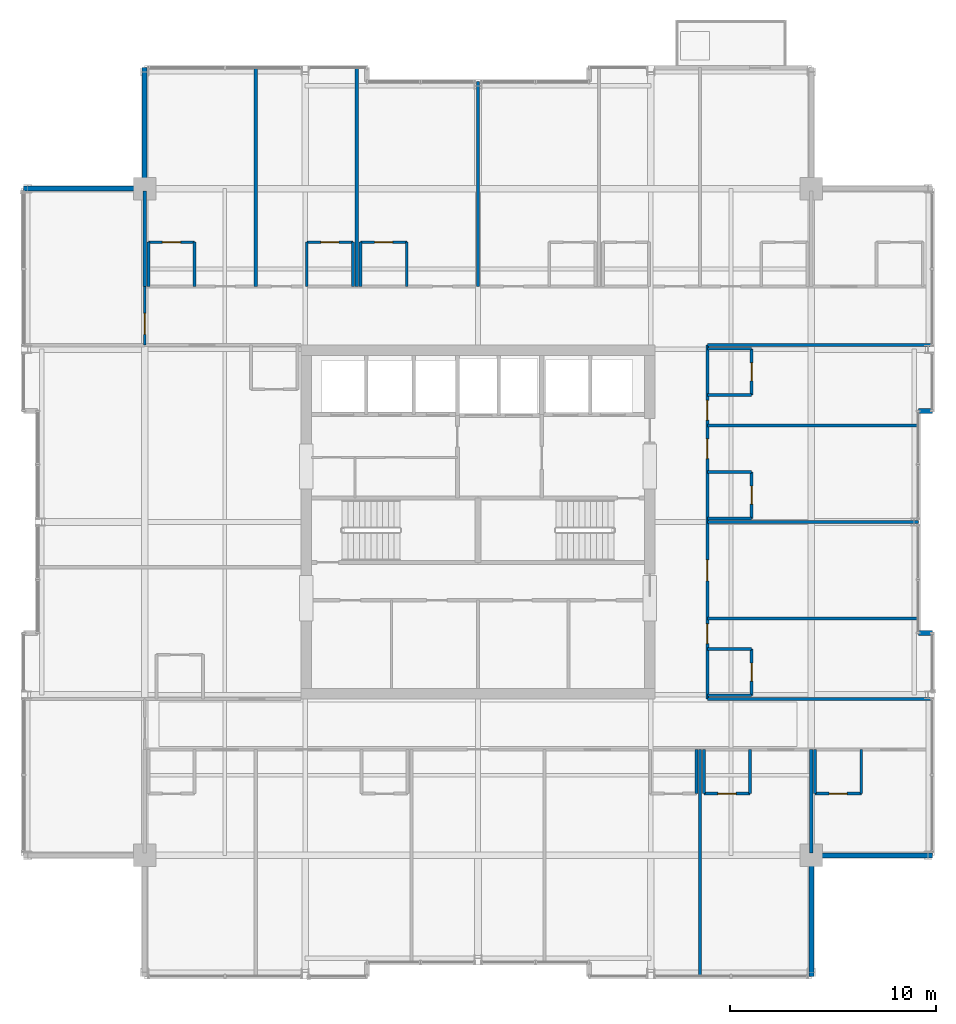
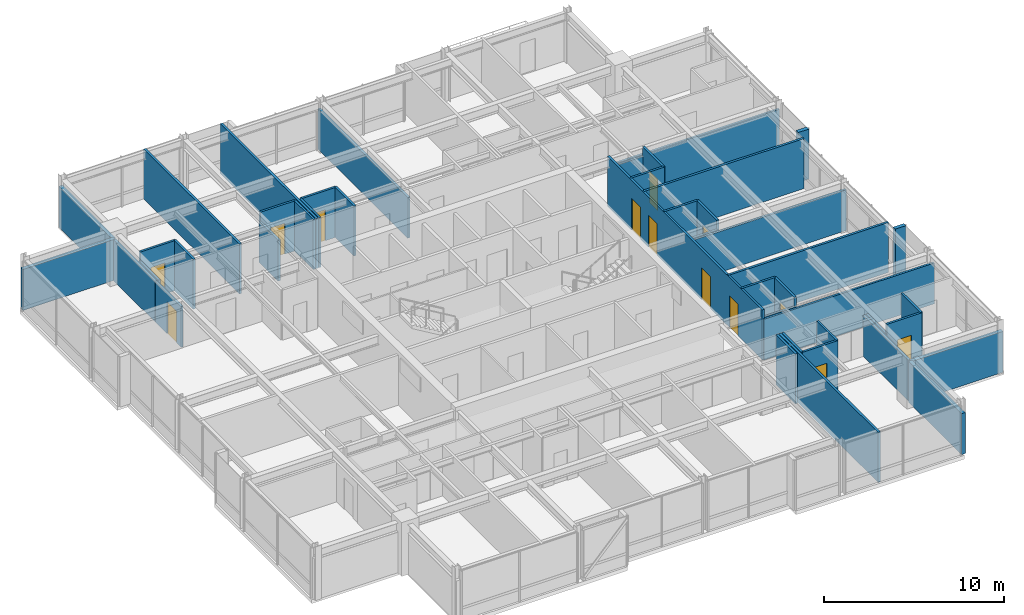
# One storey, part 29 of 33: 44 walls, 13 doors, 13 openings.
"""IFC4 building model written with IfcOpenShell, lengths in metres."""

from ifc_helpers import new_model, si_unit, direction, frame, frame_2d, origin, place, context, subcontext, project, spatial, rectangle, extrude, material, layer, layer_set, type_object, element, fill, save


model = new_model("IFC4")

# Units and contexts
model_context = context("Model", 3, precision=1e-05, world=origin(), true_north=direction((0.0, 1.0)))
body_context = subcontext(model_context, "Body", "Model", "MODEL_VIEW")
ifc_project = project(units=[si_unit("LENGTHUNIT", "METRE"), si_unit("AREAUNIT", "SQUARE_METRE"), si_unit("VOLUMEUNIT", "CUBIC_METRE"), si_unit("PLANEANGLEUNIT", "RADIAN"), si_unit("MASSUNIT", "GRAM", prefix="KILO")], contexts=[model_context])

# Site, building, storey
site_placement = place(None, origin())
site = spatial("IfcSite", under=ifc_project, at=site_placement, CompositionType="ELEMENT")
building_placement = place(site_placement, origin())
building = spatial("IfcBuilding", under=site, at=building_placement, Name="Drelvath Grand Hotel", CompositionType="ELEMENT")
storey_placement = place(building_placement, frame((0.0, 0.0, 268.64990234375)))
storey = spatial("IfcBuildingStorey", under=building, at=storey_placement, Name="L70", CompositionType="ELEMENT", Elevation=268.64990234375)

# Walls
ifc_material_1 = material(Name="Gypsum Fireboard Partition")
ifc_layer_1 = layer(ifc_material_1, 0.135009765625)
ifc_layer_set_1 = layer_set([ifc_layer_1], Name="Gypsum Fireboard Partition")
wall_type_1 = type_object("IfcWallType", Name="Corridor Fire Barrier Wall 135", PredefinedType="PARTITIONING", material=ifc_layer_set_1)
for number, where, z_axis, x_axis, name in (
    (1, (11.14990234375, 18.39990234375, 0.0), (0.0, 0.0, 1.0), (1.0, 0.0, 0.0), "L70 South Gallery Inner East Wall"),
    (2, (11.14990234375, 35.60009765625, 0.0), (0.0, 0.0, 1.0), (1.0, 0.0, 0.0), "L70 North Gallery Inner East Wall"),
):
    element("IfcWall", number, at=place(storey_placement, frame(where, z_axis=z_axis, x_axis=x_axis)), inside=storey, type_object=wall_type_1, Name=name, PredefinedType="PARTITIONING", context=body_context, shape_type="SweptSolid", body=[
        extrude(rectangle(XDim=10.93017578125, YDim=0.135009765625, at=frame_2d((5.465087890625, 0.0))), origin(), (0.0, 0.0, 1.0), 2.767578125),
    ])

# Wall, openings, doors
wall_1_placement = place(storey_placement, frame((11.14990234375, 18.39990234375, 0.0), z_axis=(0.0, 0.0, 1.0), x_axis=(0.0, 1.0, 0.0)))
wall_1 = element("IfcWall", 3, at=wall_1_placement, inside=storey, type_object=wall_type_1, Name="L70 East Gallery Link Wall", PredefinedType="PARTITIONING", context=body_context, shape_type="SweptSolid", body=[
    extrude(rectangle(XDim=17.2001953125, YDim=0.135009765625, at=frame_2d((8.60009765625, 0.0))), origin(), (0.0, 0.0, 1.0), 3.39013671875),
])
opening_1_placement = place(wall_1_placement, frame((2.689453125, 0.0, 0.0)))
opening_1 = element("IfcOpeningElement", 4, at=opening_1_placement, cuts=wall_1, Name="Opening D-T5G1-048", PredefinedType="OPENING", context=body_context, shape_type="SweptSolid", body=[
    extrude(rectangle(XDim=0.9599609375, YDim=2.14990234375, at=frame_2d((0.47998046875, 1.074951171875))), frame((0.0, 0.077392578125, 0.0), z_axis=(0.0, -1.0, 0.0), x_axis=(1.0, 0.0, 0.0)), (0.0, 0.0, 1.0), 0.155029296875),
])
opening_2_placement = place(wall_1_placement, frame((5.74462890625, 0.0, 0.0)))
opening_2 = element("IfcOpeningElement", 5, at=opening_2_placement, cuts=wall_1, Name="Opening D-T5G1-049", PredefinedType="OPENING", context=body_context, shape_type="SweptSolid", body=[
    extrude(rectangle(XDim=1.02001953125, YDim=2.14990234375, at=frame_2d((0.510009765625, 1.074951171875))), frame((0.0, 0.077392578125, 0.0), z_axis=(0.0, -1.0, 0.0), x_axis=(1.0, 0.0, 0.0)), (0.0, 0.0, 1.0), 0.155029296875),
])
opening_3_placement = place(wall_1_placement, frame((11.680419921875, 0.0, 0.0)))
opening_3 = element("IfcOpeningElement", 6, at=opening_3_placement, cuts=wall_1, Name="Opening D-T5G1-051", PredefinedType="OPENING", context=body_context, shape_type="SweptSolid", body=[
    extrude(rectangle(XDim=0.9599609375, YDim=2.14990234375, at=frame_2d((0.47998046875, 1.074951171875))), frame((0.0, 0.077392578125, 0.0), z_axis=(0.0, -1.0, 0.0), x_axis=(1.0, 0.0, 0.0)), (0.0, 0.0, 1.0), 0.155029296875),
])
opening_4_placement = place(wall_1_placement, frame((13.550537109375, 0.0, 0.0)))
opening_4 = element("IfcOpeningElement", 7, at=opening_4_placement, cuts=wall_1, Name="Opening D-T5G1-053", PredefinedType="OPENING", context=body_context, shape_type="SweptSolid", body=[
    extrude(rectangle(XDim=0.9599609375, YDim=2.14990234375, at=frame_2d((0.47998046875, 1.074951171875))), frame((0.0, 0.077392578125, 0.0), z_axis=(0.0, -1.0, 0.0), x_axis=(1.0, 0.0, 0.0)), (0.0, 0.0, 1.0), 0.155029296875),
])
ifc_material_2 = material(Name="Hardwood Walnut Timber", Category="wood")
door_type_1 = type_object("IfcDoorType", Name="Amenity Meeting Fire Door 1020x2150", OperationType="NOTDEFINED", PredefinedType="DOOR", material=ifc_material_2)
door_1_placement = place(opening_2_placement, origin())
door_1 = element("IfcDoor", 8, at=door_1_placement, inside=storey, type_object=door_type_1, Name="L70 Private Spa Treatment Room Entry Door", OperationType="SINGLE_SWING_RIGHT", OverallHeight=2.14990234375, OverallWidth=1.02001953125, PredefinedType="DOOR", context=body_context, shape_type="SweptSolid", body=[
    extrude(rectangle(XDim=1.02001953125, YDim=2.14990234375, at=frame_2d((0.510009765625, 1.074951171875))), frame((0.0, 0.02490234375, 0.0), z_axis=(0.0, -1.0, 0.0), x_axis=(1.0, 0.0, 0.0)), (0.0, 0.0, 1.0), 0.050048828125),
])
fill(opening_2, door_1)
door_type_2 = type_object("IfcDoorType", Name="Guestroom Entrance Fire Door 960x2150", OperationType="NOTDEFINED", PredefinedType="DOOR", material=ifc_material_2)
door_2_placement = place(opening_1_placement, origin())
door_2 = element("IfcDoor", 9, at=door_2_placement, inside=storey, type_object=door_type_2, Name="L70 King Guest Room Entry Door", OperationType="SINGLE_SWING_LEFT", OverallHeight=2.14990234375, OverallWidth=0.9599609375, PredefinedType="DOOR", context=body_context, shape_type="SweptSolid", body=[
    extrude(rectangle(XDim=0.9599609375, YDim=2.14990234375, at=frame_2d((0.47998046875, 1.074951171875))), frame((0.0, 0.02490234375, 0.0), z_axis=(0.0, -1.0, 0.0), x_axis=(1.0, 0.0, 0.0)), (0.0, 0.0, 1.0), 0.050048828125),
])
fill(opening_1, door_2)
door_3_placement = place(opening_3_placement, origin())
door_3 = element("IfcDoor", 10, at=door_3_placement, inside=storey, type_object=door_type_2, Name="L70 King Guest Room Entry Door", OperationType="SINGLE_SWING_RIGHT", OverallHeight=2.14990234375, OverallWidth=0.9599609375, PredefinedType="DOOR", context=body_context, shape_type="SweptSolid", body=[
    extrude(rectangle(XDim=0.9599609375, YDim=2.14990234375, at=frame_2d((0.47998046875, 1.074951171875))), frame((0.0, 0.02490234375, 0.0), z_axis=(0.0, -1.0, 0.0), x_axis=(1.0, 0.0, 0.0)), (0.0, 0.0, 1.0), 0.050048828125),
])
fill(opening_3, door_3)
door_4_placement = place(opening_4_placement, origin())
door_4 = element("IfcDoor", 11, at=door_4_placement, inside=storey, type_object=door_type_2, Name="L70 King Guest Room Entry Door", OperationType="SINGLE_SWING_RIGHT", OverallHeight=2.14990234375, OverallWidth=0.9599609375, PredefinedType="DOOR", context=body_context, shape_type="SweptSolid", body=[
    extrude(rectangle(XDim=0.9599609375, YDim=2.14990234375, at=frame_2d((0.47998046875, 1.074951171875))), frame((0.0, 0.02490234375, 0.0), z_axis=(0.0, -1.0, 0.0), x_axis=(1.0, 0.0, 0.0)), (0.0, 0.0, 1.0), 0.050048828125),
])
fill(opening_4, door_4)

# Wall, opening, door
wall_2_placement = place(storey_placement, frame((-16.199951171875, 35.60009765625, 0.0), z_axis=(0.0, 0.0, 1.0), x_axis=(0.0, 1.0, 0.0)))
wall_2 = element("IfcWall", 12, at=wall_2_placement, inside=storey, type_object=wall_type_1, Name="L70 North Gallery West End", PredefinedType="PARTITIONING", context=body_context, shape_type="SweptSolid", body=[
    extrude(rectangle(XDim=2.849853515625, YDim=0.135009765625, at=frame_2d((1.4248046875, 0.0))), origin(), (0.0, 0.0, 1.0), 2.76416015625),
])
opening_5_placement = place(wall_2_placement, frame((0.52001953125, 0.0, 0.0)))
opening_5 = element("IfcOpeningElement", 13, at=opening_5_placement, cuts=wall_2, Name="Opening D-T5G1-021", PredefinedType="OPENING", context=body_context, shape_type="SweptSolid", body=[
    extrude(rectangle(XDim=1.02001953125, YDim=2.14990234375, at=frame_2d((0.510009765625, 1.074951171875))), frame((0.0, 0.077392578125, 0.0), z_axis=(0.0, -1.0, 0.0), x_axis=(1.0, 0.0, 0.0)), (0.0, 0.0, 1.0), 0.155029296875),
])
door_5_placement = place(opening_5_placement, origin())
door_5 = element("IfcDoor", 14, at=door_5_placement, inside=storey, type_object=door_type_1, Name="L70 Corner Panorama Lounge Door", OperationType="SINGLE_SWING_RIGHT", OverallHeight=2.14990234375, OverallWidth=1.02001953125, PredefinedType="DOOR", context=body_context, shape_type="SweptSolid", body=[
    extrude(rectangle(XDim=1.02001953125, YDim=2.14990234375, at=frame_2d((0.510009765625, 1.074951171875))), frame((0.0, 0.02490234375, 0.0), z_axis=(0.0, -1.0, 0.0), x_axis=(1.0, 0.0, 0.0)), (0.0, 0.0, 1.0), 0.050048828125),
])
fill(opening_5, door_5)

# Walls
ifc_material_3 = material(Name="Moisture-Resistant Gypsum Board")
ifc_layer_2 = layer(ifc_material_3, 0.139892578125)
ifc_layer_set_2 = layer_set([ifc_layer_2], Name="Moisture-Resistant Gypsum Board")
wall_type_2 = type_object("IfcWallType", Name="En-Suite Plumbing Wall 140", PredefinedType="PLUMBINGWALL", material=ifc_layer_set_2)
wall_3_placement = place(storey_placement, frame((16.3798828125, 15.949951171875, 0.0), z_axis=(0.0, 0.0, 1.0), x_axis=(0.0, -1.0, 0.0)))
element("IfcWall", 15, at=wall_3_placement, inside=storey, type_object=wall_type_2, Name="L70 En-Suite Left Wall", PredefinedType="PLUMBINGWALL", context=body_context, shape_type="SweptSolid", body=[
    extrude(rectangle(XDim=2.14990234375, YDim=0.139892578125, at=frame_2d((1.074951171875, 0.0))), origin(), (0.0, 0.0, 1.0), 2.76416015625),
])
wall_4_placement = place(storey_placement, frame((18.6298828125, 15.949951171875, 0.0), z_axis=(0.0, 0.0, 1.0), x_axis=(0.0, -1.0, 0.0)))
element("IfcWall", 16, at=wall_4_placement, inside=storey, type_object=wall_type_2, Name="L70 En-Suite Right Wall", PredefinedType="PLUMBINGWALL", context=body_context, shape_type="SweptSolid", body=[
    extrude(rectangle(XDim=2.14990234375, YDim=0.139892578125, at=frame_2d((1.074951171875, 0.0))), origin(), (0.0, 0.0, 1.0), 3.39013671875),
])

# Wall, opening, door
wall_5_placement = place(storey_placement, frame((16.3798828125, 13.800048828125, 0.0), z_axis=(0.0, 0.0, 1.0), x_axis=(1.0, 0.0, 0.0)))
wall_5 = element("IfcWall", 17, at=wall_5_placement, inside=storey, type_object=wall_type_2, Name="L70 En-Suite Front Wall", PredefinedType="PLUMBINGWALL", context=body_context, shape_type="SweptSolid", body=[
    extrude(rectangle(XDim=2.25, YDim=0.139892578125, at=frame_2d((1.125, 0.0))), origin(), (0.0, 0.0, 1.0), 3.39013671875),
])
opening_6_placement = place(wall_5_placement, frame((0.68505859375, 0.0, 0.0)))
opening_6 = element("IfcOpeningElement", 18, at=opening_6_placement, cuts=wall_5, Name="Opening D-T5G1-022", PredefinedType="OPENING", context=body_context, shape_type="SweptSolid", body=[
    extrude(rectangle(XDim=0.8798828125, YDim=2.10009765625, at=frame_2d((0.43994140625, 1.050048828125))), frame((0.0, 0.079833984375, 0.0), z_axis=(0.0, -1.0, 0.0), x_axis=(1.0, 0.0, 0.0)), (0.0, 0.0, 1.0), 0.159912109375),
])
door_type_3 = type_object("IfcDoorType", Name="En-Suite Bathroom Door 880x2100", OperationType="NOTDEFINED", PredefinedType="DOOR", material=ifc_material_2)
door_6_placement = place(opening_6_placement, origin())
door_6 = element("IfcDoor", 19, at=door_6_placement, inside=storey, type_object=door_type_3, Name="L70 En-Suite Bathroom Door", OperationType="SINGLE_SWING_LEFT", OverallHeight=2.10009765625, OverallWidth=0.8798828125, PredefinedType="DOOR", context=body_context, shape_type="SweptSolid", body=[
    extrude(rectangle(XDim=0.8798828125, YDim=2.10009765625, at=frame_2d((0.43994140625, 1.050048828125))), frame((0.0, 0.02490234375, 0.0), z_axis=(0.0, -1.0, 0.0), x_axis=(1.0, 0.0, 0.0)), (0.0, 0.0, 1.0), 0.050048828125),
])
fill(opening_6, door_6)

# Walls
for number, where, z_axis, x_axis, name in (
    (20, (10.6201171875, 15.949951171875, 0.0), (0.0, 0.0, 1.0), (0.0, -1.0, 0.0), "L70 En-Suite Right Wall"),
    (21, (10.97998046875, 15.949951171875, 0.0), (0.0, 0.0, 1.0), (0.0, -1.0, 0.0), "L70 En-Suite Left Wall"),
    (22, (13.22998046875, 15.949951171875, 0.0), (0.0, 0.0, 1.0), (0.0, -1.0, 0.0), "L70 En-Suite Right Wall"),
):
    element("IfcWall", number, at=place(storey_placement, frame(where, z_axis=z_axis, x_axis=x_axis)), inside=storey, type_object=wall_type_2, Name=name, PredefinedType="PLUMBINGWALL", context=body_context, shape_type="SweptSolid", body=[
        extrude(rectangle(XDim=2.14990234375, YDim=0.139892578125, at=frame_2d((1.074951171875, 0.0))), origin(), (0.0, 0.0, 1.0), 3.39013671875),
    ])

# Wall, opening, door
wall_6_placement = place(storey_placement, frame((10.97998046875, 13.800048828125, 0.0), z_axis=(0.0, 0.0, 1.0), x_axis=(1.0, 0.0, 0.0)))
wall_6 = element("IfcWall", 23, at=wall_6_placement, inside=storey, type_object=wall_type_2, Name="L70 En-Suite Front Wall", PredefinedType="PLUMBINGWALL", context=body_context, shape_type="SweptSolid", body=[
    extrude(rectangle(XDim=2.25, YDim=0.139892578125, at=frame_2d((1.125, 0.0))), origin(), (0.0, 0.0, 1.0), 3.39013671875),
])
opening_7_placement = place(wall_6_placement, frame((0.68505859375, 0.0, 0.0)))
opening_7 = element("IfcOpeningElement", 24, at=opening_7_placement, cuts=wall_6, Name="Opening D-T5G1-033", PredefinedType="OPENING", context=body_context, shape_type="SweptSolid", body=[
    extrude(rectangle(XDim=0.8798828125, YDim=2.10009765625, at=frame_2d((0.43994140625, 1.050048828125))), frame((0.0, 0.079833984375, 0.0), z_axis=(0.0, -1.0, 0.0), x_axis=(1.0, 0.0, 0.0)), (0.0, 0.0, 1.0), 0.159912109375),
])
door_7_placement = place(opening_7_placement, origin())
door_7 = element("IfcDoor", 25, at=door_7_placement, inside=storey, type_object=door_type_3, Name="L70 En-Suite Bathroom Door", OperationType="SINGLE_SWING_RIGHT", OverallHeight=2.10009765625, OverallWidth=0.8798828125, PredefinedType="DOOR", context=body_context, shape_type="SweptSolid", body=[
    extrude(rectangle(XDim=0.8798828125, YDim=2.10009765625, at=frame_2d((0.43994140625, 1.050048828125))), frame((0.0, 0.02490234375, 0.0), z_axis=(0.0, -1.0, 0.0), x_axis=(1.0, 0.0, 0.0)), (0.0, 0.0, 1.0), 0.050048828125),
])
fill(opening_7, door_7)

# Walls
wall_7_placement = place(storey_placement, frame((-16.02001953125, 38.449951171875, 0.0), z_axis=(0.0, 0.0, 1.0), x_axis=(0.0, 1.0, 0.0)))
element("IfcWall", 26, at=wall_7_placement, inside=storey, type_object=wall_type_2, Name="L70 En-Suite Left Wall", PredefinedType="PLUMBINGWALL", context=body_context, shape_type="SweptSolid", body=[
    extrude(rectangle(XDim=2.150146484375, YDim=0.139892578125, at=frame_2d((1.0751953125, 0.0))), origin(), (0.0, 0.0, 1.0), 2.76416015625),
])
wall_8_placement = place(storey_placement, frame((-13.77001953125, 38.449951171875, 0.0), z_axis=(0.0, 0.0, 1.0), x_axis=(0.0, 1.0, 0.0)))
element("IfcWall", 27, at=wall_8_placement, inside=storey, type_object=wall_type_2, Name="L70 En-Suite Right Wall", PredefinedType="PLUMBINGWALL", context=body_context, shape_type="SweptSolid", body=[
    extrude(rectangle(XDim=2.150146484375, YDim=0.139892578125, at=frame_2d((1.0751953125, 0.0))), origin(), (0.0, 0.0, 1.0), 3.39013671875),
])

# Wall, opening, door
wall_9_placement = place(storey_placement, frame((-16.02001953125, 40.60009765625, 0.0), z_axis=(0.0, 0.0, 1.0), x_axis=(1.0, 0.0, 0.0)))
wall_9 = element("IfcWall", 28, at=wall_9_placement, inside=storey, type_object=wall_type_2, Name="L70 En-Suite Front Wall", PredefinedType="PLUMBINGWALL", context=body_context, shape_type="SweptSolid", body=[
    extrude(rectangle(XDim=2.25, YDim=0.139892578125, at=frame_2d((1.125, 0.0))), origin(), (0.0, 0.0, 1.0), 3.39013671875),
])
opening_8_placement = place(wall_9_placement, frame((0.68505859375, 0.0, 0.0)))
opening_8 = element("IfcOpeningElement", 29, at=opening_8_placement, cuts=wall_9, Name="Opening D-T5G1-035", PredefinedType="OPENING", context=body_context, shape_type="SweptSolid", body=[
    extrude(rectangle(XDim=0.8798828125, YDim=2.10009765625, at=frame_2d((0.43994140625, 1.050048828125))), frame((0.0, 0.079833984375, 0.0), z_axis=(0.0, -1.0, 0.0), x_axis=(1.0, 0.0, 0.0)), (0.0, 0.0, 1.0), 0.159912109375),
])
door_8_placement = place(opening_8_placement, origin())
door_8 = element("IfcDoor", 30, at=door_8_placement, inside=storey, type_object=door_type_3, Name="L70 En-Suite Bathroom Door", OperationType="SINGLE_SWING_RIGHT", OverallHeight=2.10009765625, OverallWidth=0.8798828125, PredefinedType="DOOR", context=body_context, shape_type="SweptSolid", body=[
    extrude(rectangle(XDim=0.8798828125, YDim=2.10009765625, at=frame_2d((0.43994140625, 1.050048828125))), frame((0.0, 0.02490234375, 0.0), z_axis=(0.0, -1.0, 0.0), x_axis=(1.0, 0.0, 0.0)), (0.0, 0.0, 1.0), 0.050048828125),
])
fill(opening_8, door_8)

# Walls
wall_10_placement = place(storey_placement, frame((-8.32080078125, 38.449951171875, 0.0), z_axis=(0.0, 0.0, 1.0), x_axis=(0.0, 1.0, 0.0)))
element("IfcWall", 31, at=wall_10_placement, inside=storey, type_object=wall_type_2, Name="L70 En-Suite Left Wall", PredefinedType="PLUMBINGWALL", context=body_context, shape_type="SweptSolid", body=[
    extrude(rectangle(XDim=2.150146484375, YDim=0.139892578125, at=frame_2d((1.0751953125, 0.0))), origin(), (0.0, 0.0, 1.0), 2.767578125),
])
wall_11_placement = place(storey_placement, frame((-6.07080078125, 38.449951171875, 0.0), z_axis=(0.0, 0.0, 1.0), x_axis=(0.0, 1.0, 0.0)))
element("IfcWall", 32, at=wall_11_placement, inside=storey, type_object=wall_type_2, Name="L70 En-Suite Right Wall", PredefinedType="PLUMBINGWALL", context=body_context, shape_type="SweptSolid", body=[
    extrude(rectangle(XDim=2.150146484375, YDim=0.139892578125, at=frame_2d((1.0751953125, 0.0))), origin(), (0.0, 0.0, 1.0), 3.39013671875),
])

# Wall, opening, door
wall_12_placement = place(storey_placement, frame((-8.32080078125, 40.60009765625, 0.0), z_axis=(0.0, 0.0, 1.0), x_axis=(1.0, 0.0, 0.0)))
wall_12 = element("IfcWall", 33, at=wall_12_placement, inside=storey, type_object=wall_type_2, Name="L70 En-Suite Front Wall", PredefinedType="PLUMBINGWALL", context=body_context, shape_type="SweptSolid", body=[
    extrude(rectangle(XDim=2.25, YDim=0.139892578125, at=frame_2d((1.125, 0.0))), origin(), (0.0, 0.0, 1.0), 3.39013671875),
])
opening_9_placement = place(wall_12_placement, frame((0.68505859375, 0.0, 0.0)))
opening_9 = element("IfcOpeningElement", 34, at=opening_9_placement, cuts=wall_12, Name="Opening D-T5G1-037", PredefinedType="OPENING", context=body_context, shape_type="SweptSolid", body=[
    extrude(rectangle(XDim=0.8798828125, YDim=2.10009765625, at=frame_2d((0.43994140625, 1.050048828125))), frame((0.0, 0.079833984375, 0.0), z_axis=(0.0, -1.0, 0.0), x_axis=(1.0, 0.0, 0.0)), (0.0, 0.0, 1.0), 0.159912109375),
])
door_9_placement = place(opening_9_placement, origin())
door_9 = element("IfcDoor", 35, at=door_9_placement, inside=storey, type_object=door_type_3, Name="L70 En-Suite Bathroom Door", OperationType="SINGLE_SWING_RIGHT", OverallHeight=2.10009765625, OverallWidth=0.8798828125, PredefinedType="DOOR", context=body_context, shape_type="SweptSolid", body=[
    extrude(rectangle(XDim=0.8798828125, YDim=2.10009765625, at=frame_2d((0.43994140625, 1.050048828125))), frame((0.0, 0.02490234375, 0.0), z_axis=(0.0, -1.0, 0.0), x_axis=(1.0, 0.0, 0.0)), (0.0, 0.0, 1.0), 0.050048828125),
])
fill(opening_9, door_9)

# Walls
for number, where, z_axis, x_axis, name in (
    (36, (-5.7109375, 38.449951171875, 0.0), (0.0, 0.0, 1.0), (0.0, 1.0, 0.0), "L70 En-Suite Left Wall"),
    (37, (-3.4609375, 38.449951171875, 0.0), (0.0, 0.0, 1.0), (0.0, 1.0, 0.0), "L70 En-Suite Right Wall"),
):
    element("IfcWall", number, at=place(storey_placement, frame(where, z_axis=z_axis, x_axis=x_axis)), inside=storey, type_object=wall_type_2, Name=name, PredefinedType="PLUMBINGWALL", context=body_context, shape_type="SweptSolid", body=[
        extrude(rectangle(XDim=2.150146484375, YDim=0.139892578125, at=frame_2d((1.0751953125, 0.0))), origin(), (0.0, 0.0, 1.0), 3.39013671875),
    ])

# Wall, opening, door
wall_13_placement = place(storey_placement, frame((-5.7109375, 40.60009765625, 0.0), z_axis=(0.0, 0.0, 1.0), x_axis=(1.0, 0.0, 0.0)))
wall_13 = element("IfcWall", 38, at=wall_13_placement, inside=storey, type_object=wall_type_2, Name="L70 En-Suite Front Wall", PredefinedType="PLUMBINGWALL", context=body_context, shape_type="SweptSolid", body=[
    extrude(rectangle(XDim=2.25, YDim=0.139892578125, at=frame_2d((1.125, 0.0))), origin(), (0.0, 0.0, 1.0), 3.39013671875),
])
opening_10_placement = place(wall_13_placement, frame((0.68505859375, 0.0, 0.0)))
opening_10 = element("IfcOpeningElement", 39, at=opening_10_placement, cuts=wall_13, Name="Opening D-T5G1-039", PredefinedType="OPENING", context=body_context, shape_type="SweptSolid", body=[
    extrude(rectangle(XDim=0.8798828125, YDim=2.10009765625, at=frame_2d((0.43994140625, 1.050048828125))), frame((0.0, 0.079833984375, 0.0), z_axis=(0.0, -1.0, 0.0), x_axis=(1.0, 0.0, 0.0)), (0.0, 0.0, 1.0), 0.159912109375),
])
door_10_placement = place(opening_10_placement, origin())
door_10 = element("IfcDoor", 40, at=door_10_placement, inside=storey, type_object=door_type_3, Name="L70 En-Suite Bathroom Door", OperationType="SINGLE_SWING_RIGHT", OverallHeight=2.10009765625, OverallWidth=0.8798828125, PredefinedType="DOOR", context=body_context, shape_type="SweptSolid", body=[
    extrude(rectangle(XDim=0.8798828125, YDim=2.10009765625, at=frame_2d((0.43994140625, 1.050048828125))), frame((0.0, 0.02490234375, 0.0), z_axis=(0.0, -1.0, 0.0), x_axis=(1.0, 0.0, 0.0)), (0.0, 0.0, 1.0), 0.050048828125),
])
fill(opening_10, door_10)

# Walls
wall_14_placement = place(storey_placement, frame((11.14990234375, 18.580078125, 0.0), z_axis=(0.0, 0.0, 1.0), x_axis=(1.0, 0.0, 0.0)))
element("IfcWall", 41, at=wall_14_placement, inside=storey, type_object=wall_type_2, Name="L70 En-Suite Left Wall", PredefinedType="PLUMBINGWALL", context=body_context, shape_type="SweptSolid", body=[
    extrude(rectangle(XDim=2.150146484375, YDim=0.139892578125, at=frame_2d((1.0751953125, 0.0))), origin(), (0.0, 0.0, 1.0), 2.767578125),
])
wall_15_placement = place(storey_placement, frame((11.14990234375, 20.830078125, 0.0), z_axis=(0.0, 0.0, 1.0), x_axis=(1.0, 0.0, 0.0)))
element("IfcWall", 42, at=wall_15_placement, inside=storey, type_object=wall_type_2, Name="L70 En-Suite Right Wall", PredefinedType="PLUMBINGWALL", context=body_context, shape_type="SweptSolid", body=[
    extrude(rectangle(XDim=2.150146484375, YDim=0.139892578125, at=frame_2d((1.0751953125, 0.0))), origin(), (0.0, 0.0, 1.0), 3.39013671875),
])

# Wall, opening, door
wall_16_placement = place(storey_placement, frame((13.300048828125, 18.580078125, 0.0), z_axis=(0.0, 0.0, 1.0), x_axis=(0.0, 1.0, 0.0)))
wall_16 = element("IfcWall", 43, at=wall_16_placement, inside=storey, type_object=wall_type_2, Name="L70 En-Suite Front Wall", PredefinedType="PLUMBINGWALL", context=body_context, shape_type="SweptSolid", body=[
    extrude(rectangle(XDim=2.25, YDim=0.139892578125, at=frame_2d((1.125, 0.0))), origin(), (0.0, 0.0, 1.0), 3.39013671875),
])
opening_11_placement = place(wall_16_placement, frame((0.68505859375, 0.0, 0.0)))
opening_11 = element("IfcOpeningElement", 44, at=opening_11_placement, cuts=wall_16, Name="Opening D-T5G1-047", PredefinedType="OPENING", context=body_context, shape_type="SweptSolid", body=[
    extrude(rectangle(XDim=0.8798828125, YDim=2.10009765625, at=frame_2d((0.43994140625, 1.050048828125))), frame((0.0, 0.079833984375, 0.0), z_axis=(0.0, -1.0, 0.0), x_axis=(1.0, 0.0, 0.0)), (0.0, 0.0, 1.0), 0.159912109375),
])
door_11_placement = place(opening_11_placement, origin())
door_11 = element("IfcDoor", 45, at=door_11_placement, inside=storey, type_object=door_type_3, Name="L70 En-Suite Bathroom Door", OperationType="SINGLE_SWING_RIGHT", OverallHeight=2.10009765625, OverallWidth=0.8798828125, PredefinedType="DOOR", context=body_context, shape_type="SweptSolid", body=[
    extrude(rectangle(XDim=0.8798828125, YDim=2.10009765625, at=frame_2d((0.43994140625, 1.050048828125))), frame((0.0, 0.02490234375, 0.0), z_axis=(0.0, -1.0, 0.0), x_axis=(1.0, 0.0, 0.0)), (0.0, 0.0, 1.0), 0.050048828125),
])
fill(opening_11, door_11)

# Walls
wall_17_placement = place(storey_placement, frame((11.14990234375, 27.179931640625, 0.0), z_axis=(0.0, 0.0, 1.0), x_axis=(1.0, 0.0, 0.0)))
element("IfcWall", 46, at=wall_17_placement, inside=storey, type_object=wall_type_2, Name="L70 En-Suite Left Wall", PredefinedType="PLUMBINGWALL", context=body_context, shape_type="SweptSolid", body=[
    extrude(rectangle(XDim=2.150146484375, YDim=0.139892578125, at=frame_2d((1.0751953125, 0.0))), origin(), (0.0, 0.0, 1.0), 2.767578125),
])
wall_18_placement = place(storey_placement, frame((11.14990234375, 29.429931640625, 0.0), z_axis=(0.0, 0.0, 1.0), x_axis=(1.0, 0.0, 0.0)))
element("IfcWall", 47, at=wall_18_placement, inside=storey, type_object=wall_type_2, Name="L70 En-Suite Right Wall", PredefinedType="PLUMBINGWALL", context=body_context, shape_type="SweptSolid", body=[
    extrude(rectangle(XDim=2.150146484375, YDim=0.139892578125, at=frame_2d((1.0751953125, 0.0))), origin(), (0.0, 0.0, 1.0), 3.39013671875),
])

# Wall, opening, door
wall_19_placement = place(storey_placement, frame((13.300048828125, 27.179931640625, 0.0), z_axis=(0.0, 0.0, 1.0), x_axis=(0.0, 1.0, 0.0)))
wall_19 = element("IfcWall", 48, at=wall_19_placement, inside=storey, type_object=wall_type_2, Name="L70 En-Suite Front Wall", PredefinedType="PLUMBINGWALL", context=body_context, shape_type="SweptSolid", body=[
    extrude(rectangle(XDim=2.25, YDim=0.139892578125, at=frame_2d((1.125, 0.0))), origin(), (0.0, 0.0, 1.0), 3.39013671875),
])
opening_12_placement = place(wall_19_placement, frame((0.68505859375, 0.0, 0.0)))
opening_12 = element("IfcOpeningElement", 49, at=opening_12_placement, cuts=wall_19, Name="Opening D-T5G1-050", PredefinedType="OPENING", context=body_context, shape_type="SweptSolid", body=[
    extrude(rectangle(XDim=0.8798828125, YDim=2.10009765625, at=frame_2d((0.43994140625, 1.050048828125))), frame((0.0, 0.079833984375, 0.0), z_axis=(0.0, -1.0, 0.0), x_axis=(1.0, 0.0, 0.0)), (0.0, 0.0, 1.0), 0.159912109375),
])
door_12_placement = place(opening_12_placement, origin())
door_12 = element("IfcDoor", 50, at=door_12_placement, inside=storey, type_object=door_type_3, Name="L70 En-Suite Bathroom Door", OperationType="SINGLE_SWING_LEFT", OverallHeight=2.10009765625, OverallWidth=0.8798828125, PredefinedType="DOOR", context=body_context, shape_type="SweptSolid", body=[
    extrude(rectangle(XDim=0.8798828125, YDim=2.10009765625, at=frame_2d((0.43994140625, 1.050048828125))), frame((0.0, 0.02490234375, 0.0), z_axis=(0.0, -1.0, 0.0), x_axis=(1.0, 0.0, 0.0)), (0.0, 0.0, 1.0), 0.050048828125),
])
fill(opening_12, door_12)

# Walls
wall_20_placement = place(storey_placement, frame((11.14990234375, 33.169921875, 0.0), z_axis=(0.0, 0.0, 1.0), x_axis=(1.0, 0.0, 0.0)))
element("IfcWall", 51, at=wall_20_placement, inside=storey, type_object=wall_type_2, Name="L70 En-Suite Left Wall", PredefinedType="PLUMBINGWALL", context=body_context, shape_type="SweptSolid", body=[
    extrude(rectangle(XDim=2.150146484375, YDim=0.139892578125, at=frame_2d((1.0751953125, 0.0))), origin(), (0.0, 0.0, 1.0), 3.39013671875),
])
wall_21_placement = place(storey_placement, frame((11.14990234375, 35.419921875, 0.0), z_axis=(0.0, 0.0, 1.0), x_axis=(1.0, 0.0, 0.0)))
element("IfcWall", 52, at=wall_21_placement, inside=storey, type_object=wall_type_2, Name="L70 En-Suite Right Wall", PredefinedType="PLUMBINGWALL", context=body_context, shape_type="SweptSolid", body=[
    extrude(rectangle(XDim=2.150146484375, YDim=0.139892578125, at=frame_2d((1.0751953125, 0.0))), origin(), (0.0, 0.0, 1.0), 2.767578125),
])

# Wall, opening, door
wall_22_placement = place(storey_placement, frame((13.300048828125, 33.169921875, 0.0), z_axis=(0.0, 0.0, 1.0), x_axis=(0.0, 1.0, 0.0)))
wall_22 = element("IfcWall", 53, at=wall_22_placement, inside=storey, type_object=wall_type_2, Name="L70 En-Suite Front Wall", PredefinedType="PLUMBINGWALL", context=body_context, shape_type="SweptSolid", body=[
    extrude(rectangle(XDim=2.25, YDim=0.139892578125, at=frame_2d((1.125, 0.0))), origin(), (0.0, 0.0, 1.0), 3.39013671875),
])
opening_13_placement = place(wall_22_placement, frame((0.68505859375, 0.0, 0.0)))
opening_13 = element("IfcOpeningElement", 54, at=opening_13_placement, cuts=wall_22, Name="Opening D-T5G1-052", PredefinedType="OPENING", context=body_context, shape_type="SweptSolid", body=[
    extrude(rectangle(XDim=0.8798828125, YDim=2.10009765625, at=frame_2d((0.43994140625, 1.050048828125))), frame((0.0, 0.079833984375, 0.0), z_axis=(0.0, -1.0, 0.0), x_axis=(1.0, 0.0, 0.0)), (0.0, 0.0, 1.0), 0.159912109375),
])
door_13_placement = place(opening_13_placement, origin())
door_13 = element("IfcDoor", 55, at=door_13_placement, inside=storey, type_object=door_type_3, Name="L70 En-Suite Bathroom Door", OperationType="SINGLE_SWING_LEFT", OverallHeight=2.10009765625, OverallWidth=0.8798828125, PredefinedType="DOOR", context=body_context, shape_type="SweptSolid", body=[
    extrude(rectangle(XDim=0.8798828125, YDim=2.10009765625, at=frame_2d((0.43994140625, 1.050048828125))), frame((0.0, 0.02490234375, 0.0), z_axis=(0.0, -1.0, 0.0), x_axis=(1.0, 0.0, 0.0)), (0.0, 0.0, 1.0), 0.050048828125),
])
fill(opening_13, door_13)

# Walls
ifc_material_4 = material(Name="Gypsum Acoustic Partition")
ifc_layer_3 = layer(ifc_material_4, 0.14990234375)
ifc_layer_set_3 = layer_set([ifc_layer_3], Name="Gypsum Acoustic Partition")
wall_type_3 = type_object("IfcWallType", Name="Guestroom Demising Wall 150", PredefinedType="PARTITIONING", material=ifc_layer_set_3)
wall_23_placement = place(storey_placement, frame((10.800048828125, 4.919921875, 0.0), z_axis=(0.0, 0.0, 1.0), x_axis=(0.0, 1.0, 0.0)))
element("IfcWall", 56, at=wall_23_placement, inside=storey, type_object=wall_type_3, Name="L70 South Demising 4", PredefinedType="PARTITIONING", context=body_context, shape_type="SweptSolid", body=[
    extrude(rectangle(XDim=11.030029296875, YDim=0.14990234375, at=frame_2d((5.51513671875, 0.0))), origin(), (0.0, 0.0, 1.0), 3.39013671875),
])
for number, where, z_axis, x_axis, name in (
    (57, (-10.800048828125, 38.449951171875, 0.0), (0.0, 0.0, 1.0), (0.0, 1.0, 0.0), "L70 North Demising 1"),
    (58, (-5.890869140625, 38.449951171875, 0.0), (0.0, 0.0, 1.0), (0.0, 1.0, 0.0), "L70 North Demising 2"),
):
    element("IfcWall", number, at=place(storey_placement, frame(where, z_axis=z_axis, x_axis=x_axis)), inside=storey, type_object=wall_type_3, Name=name, PredefinedType="PARTITIONING", context=body_context, shape_type="SweptSolid", body=[
        extrude(rectangle(XDim=10.630126953125, YDim=0.14990234375, at=frame_2d((5.31494140625, 0.0))), origin(), (0.0, 0.0, 1.0), 3.39013671875),
    ])
wall_24_placement = place(storey_placement, frame((0.0, 38.449951171875, 0.0), z_axis=(0.0, 0.0, 1.0), x_axis=(0.0, 1.0, 0.0)))
element("IfcWall", 59, at=wall_24_placement, inside=storey, type_object=wall_type_3, Name="L70 North Demising 3", PredefinedType="PARTITIONING", context=body_context, shape_type="SweptSolid", body=[
    extrude(rectangle(XDim=9.949951171875, YDim=0.14990234375, at=frame_2d((4.97509765625, 0.0))), origin(), (0.0, 0.0, 1.0), 2.767578125),
])
wall_25_placement = place(storey_placement, frame((11.14990234375, 22.30908203125, 0.0), z_axis=(0.0, 0.0, 1.0), x_axis=(1.0, 0.0, 0.0)))
element("IfcWall", 60, at=wall_25_placement, inside=storey, type_object=wall_type_3, Name="L70 East Demising 1", PredefinedType="PARTITIONING", context=body_context, shape_type="SweptSolid", body=[
    extrude(rectangle(XDim=10.25, YDim=0.14990234375, at=frame_2d((5.125, 0.0))), origin(), (0.0, 0.0, 1.0), 3.39013671875),
])
wall_26_placement = place(storey_placement, frame((11.14990234375, 27.0, 0.0), z_axis=(0.0, 0.0, 1.0), x_axis=(1.0, 0.0, 0.0)))
element("IfcWall", 61, at=wall_26_placement, inside=storey, type_object=wall_type_3, Name="L70 East Demising 2", PredefinedType="PARTITIONING", context=body_context, shape_type="SweptSolid", body=[
    extrude(rectangle(XDim=10.25, YDim=0.14990234375, at=frame_2d((5.125, 0.0))), origin(), (0.0, 0.0, 1.0), 2.767578125),
])
wall_27_placement = place(storey_placement, frame((11.14990234375, 31.69091796875, 0.0), z_axis=(0.0, 0.0, 1.0), x_axis=(1.0, 0.0, 0.0)))
element("IfcWall", 62, at=wall_27_placement, inside=storey, type_object=wall_type_3, Name="L70 East Demising 3", PredefinedType="PARTITIONING", context=body_context, shape_type="SweptSolid", body=[
    extrude(rectangle(XDim=10.25, YDim=0.14990234375, at=frame_2d((5.125, 0.0))), origin(), (0.0, 0.0, 1.0), 3.39013671875),
])
ifc_layer_4 = layer(ifc_material_4, 0.1650390625)
ifc_layer_set_4 = layer_set([ifc_layer_4], Name="Gypsum Acoustic Partition")
wall_type_4 = type_object("IfcWallType", Name="Suite Demising Wall 165", PredefinedType="PARTITIONING", material=ifc_layer_set_4)
wall_28_placement = place(storey_placement, frame((16.199951171875, 10.919921875, 0.0), z_axis=(0.0, 0.0, 1.0), x_axis=(0.0, 1.0, 0.0)))
element("IfcWall", 63, at=wall_28_placement, inside=storey, type_object=wall_type_4, Name="L70 SE Suite Wall", PredefinedType="PARTITIONING", context=body_context, shape_type="SweptSolid", body=[
    extrude(rectangle(XDim=5.030029296875, YDim=0.1650390625, at=frame_2d((2.51513671875, 0.0))), origin(), (0.0, 0.0, 1.0), 2.76416015625),
])
wall_29_placement = place(storey_placement, frame((-16.199951171875, 38.449951171875, 0.0), z_axis=(0.0, 0.0, 1.0), x_axis=(0.0, 1.0, 0.0)))
element("IfcWall", 64, at=wall_29_placement, inside=storey, type_object=wall_type_4, Name="L70 NW Suite Wall", PredefinedType="PARTITIONING", context=body_context, shape_type="SweptSolid", body=[
    extrude(rectangle(XDim=4.630126953125, YDim=0.1650390625, at=frame_2d((2.31494140625, 0.0))), origin(), (0.0, 0.0, 1.0), 2.76416015625),
])
ifc_material_5 = material(Name="Pale-Metal Insulated Aluminium Spandrel Assembly", Category="aluminium")
ifc_layer_5 = layer(ifc_material_5, 0.239990234375)
ifc_layer_set_5 = layer_set([ifc_layer_5], Name="Pale-Metal Insulated Aluminium Spandrel Assembly")
wall_type_5 = type_object("IfcWallType", Name="Tower Insulated Metal Spandrel Closure Wall 240", PredefinedType="STANDARD", material=ifc_layer_set_5)
for number, where, z_axis, x_axis, name in (
    (65, (-22.080078125, 43.199951171875, 0.0), (0.0, 0.0, 1.0), (1.0, 0.0, 0.0), "L70 Notched Corner Return Spandrel Wall CNW1"),
    (66, (-16.199951171875, 43.199951171875, 0.0), (0.0, 0.0, 1.0), (0.0, 1.0, 0.0), "L70 Notched Corner Return Spandrel Wall CNW2"),
    (67, (22.080078125, 10.800048828125, 0.0), (0.0, 0.0, 1.0), (-1.0, 0.0, 0.0), "L70 Notched Corner Return Spandrel Wall CSE1"),
    (68, (16.199951171875, 10.800048828125, 0.0), (0.0, 0.0, 1.0), (0.0, -1.0, 0.0), "L70 Notched Corner Return Spandrel Wall CSE2"),
):
    element("IfcWall", number, at=place(storey_placement, frame(where, z_axis=z_axis, x_axis=x_axis)), inside=storey, type_object=wall_type_5, Name=name, PredefinedType="STANDARD", context=body_context, shape_type="SweptSolid", body=[
        extrude(rectangle(XDim=5.880126953125, YDim=0.239990234375, at=frame_2d((2.93994140625, 0.0))), origin(), (0.0, 0.0, 1.0), 2.779052734375),
    ])
for number, where, z_axis, x_axis, name in (
    (69, (22.080078125, 32.39990234375, 0.0), (0.0, 0.0, 1.0), (-1.0, 0.0, 0.0), "L70 Notched Corner Return Spandrel Wall RE1"),
    (70, (21.39990234375, 21.60009765625, 0.0), (0.0, 0.0, 1.0), (1.0, 0.0, 0.0), "L70 Notched Corner Return Spandrel Wall RE2"),
):
    element("IfcWall", number, at=place(storey_placement, frame(where, z_axis=z_axis, x_axis=x_axis)), inside=storey, type_object=wall_type_5, Name=name, PredefinedType="STANDARD", context=body_context, shape_type="SweptSolid", body=[
        extrude(rectangle(XDim=0.68017578125, YDim=0.239990234375, at=frame_2d((0.340087890625, 0.0))), origin(), (0.0, 0.0, 1.0), 3.39013671875),
    ])

save(model, "model.ifc")
